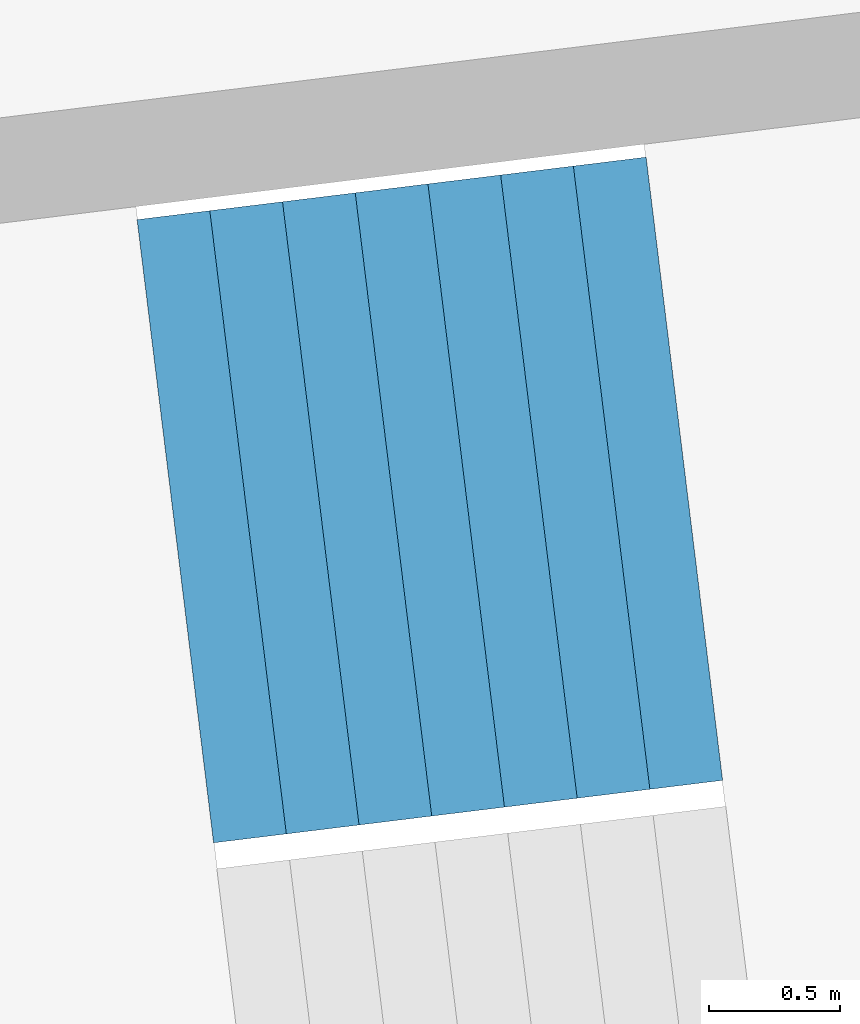
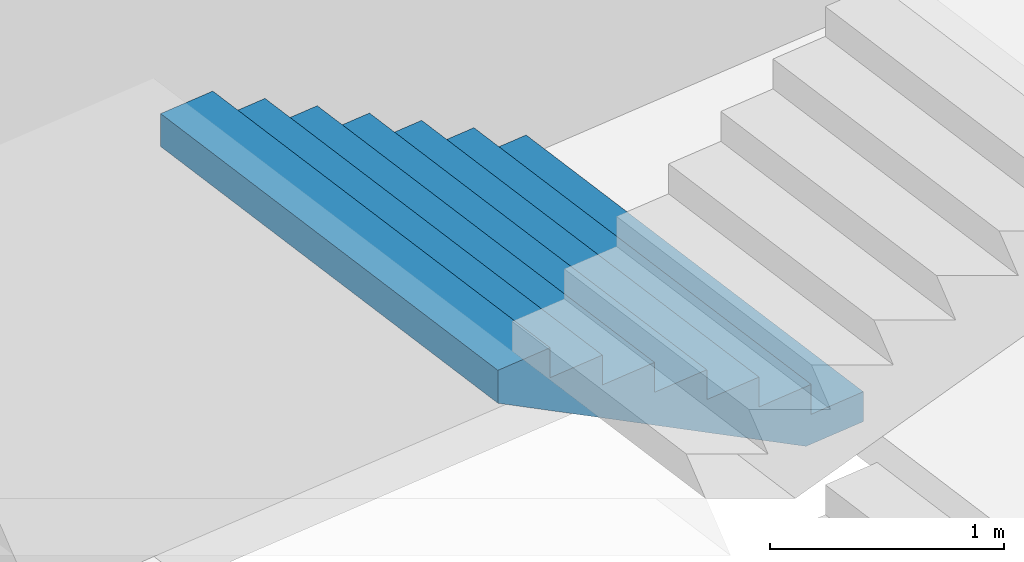
# One storey, part 59 of 73: 1 stair flight, 1 element without a shape of its own.
"""IFC4 building model written with IfcOpenShell, lengths in metres."""

from ifc_helpers import new_model, si_unit, direction, frame, origin, place, context, subcontext, project, spatial, triangles, material, type_object, element, aggregate, save


model = new_model("IFC4")

# Units and contexts
model_context = context("Model", 3, precision=1e-05, world=origin(), true_north=direction((0.0, 1.0)))
body_context = subcontext(model_context, "Body", "Model", "MODEL_VIEW")
ifc_project = project(units=[si_unit("LENGTHUNIT", "METRE"), si_unit("AREAUNIT", "SQUARE_METRE"), si_unit("VOLUMEUNIT", "CUBIC_METRE"), si_unit("PLANEANGLEUNIT", "RADIAN"), si_unit("MASSUNIT", "GRAM", prefix="KILO")], contexts=[model_context])

# Site, building, storey
site_placement = place(None, origin())
site = spatial("IfcSite", under=ifc_project, at=site_placement, CompositionType="ELEMENT")
building_placement = place(site_placement, origin())
building = spatial("IfcBuilding", under=site, at=building_placement, Name="Lantaw Convention Tower", CompositionType="ELEMENT")
storey_placement = place(building_placement, frame((0.0, 0.0, 27.0)))
storey = spatial("IfcBuildingStorey", under=building, at=storey_placement, Name="L04", CompositionType="ELEMENT", Elevation=27.0)

# Stair, stair flight
ifc_material = material(Name="Concrete C35/45", Category="concrete")
stair_type = type_object("IfcStairType", Name="Exit stair 2400 riser 156.25 in 4 flights", PredefinedType="HALF_TURN_STAIR", material=ifc_material)
stair_placement = place(storey_placement, origin())
stair = element("IfcStair", 1, at=stair_placement, inside=storey, type_object=stair_type, Name="Podium exit stair P1 L04", PredefinedType="HALF_TURN_STAIR")
stair_flight_type = type_object("IfcStairFlightType", Name="Stair flight 2400 riser 156.25", PredefinedType="STRAIGHT", material=ifc_material)
stair_flight_placement = place(storey_placement, frame((39.9169921875, 6.16064453125, 1.25), z_axis=(0.0, 0.0, 1.0), x_axis=(-0.992546151641, -0.121869343405, 0.0)))
stair_flight = element("IfcStairFlight", 2, at=stair_flight_placement, type_object=stair_flight_type, Name="P1 flight 2", NumberOfRisers=8, NumberOfTreads=7, PredefinedType="STRAIGHT", RiserHeight=0.15625, TreadLength=0.28, context=body_context, shape_type="Tessellation", body=[
    triangles([(0.0, 1.199951171875, 0.0), (0.0, 1.199951171875, 0.15625), (0.28, 1.199951171875, 0.0), (0.28, 1.199951171875, 0.15625), (0.28, 1.199951171875, 0.3125), (0.3076200632058044, 1.199951171875, 0.0), (0.3076200632058044, 1.199951171875, 0.3125), (0.56, 1.199951171875, 0.14083701830033238), (0.56, 1.199951171875, 0.3125), (0.56, 1.199951171875, 0.46875), (0.8400000000000001, 1.199951171875, 0.29708701830033235), (0.8400000000000001, 1.199951171875, 0.46875), (0.8400000000000001, 1.199951171875, 0.625), (1.12, 1.199951171875, 0.45333701830033235), (1.12, 1.199951171875, 0.625), (1.12, 1.199951171875, 0.78125), (1.4000000000000001, 1.199951171875, 0.6095870183003324), (1.4000000000000001, 1.199951171875, 0.78125), (1.4000000000000001, 1.199951171875, 0.9375), (1.6800000000000002, 1.199951171875, 0.7658370183003324), (1.6800000000000002, 1.199951171875, 0.9375), (1.6800000000000002, 1.199951171875, 1.09375), (1.9600000000000002, 1.199951171875, 0.9220870183003324), (1.9600000000000002, 1.199951171875, 1.09375), (0.0, -1.199951171875, 0.0), (0.0, -1.199951171875, 0.15625), (0.28, -1.199951171875, 0.0), (0.28, -1.199951171875, 0.15625), (0.28, -1.199951171875, 0.3125), (0.3076200632058044, -1.199951171875, 0.0), (0.3076200632058044, -1.199951171875, 0.3125), (0.56, -1.199951171875, 0.14083701830033238), (0.56, -1.199951171875, 0.3125), (0.56, -1.199951171875, 0.46875), (0.8400000000000001, -1.199951171875, 0.29708701830033235), (0.8400000000000001, -1.199951171875, 0.46875), (0.8400000000000001, -1.199951171875, 0.625), (1.12, -1.199951171875, 0.45333701830033235), (1.12, -1.199951171875, 0.625), (1.12, -1.199951171875, 0.78125), (1.4000000000000001, -1.199951171875, 0.6095870183003324), (1.4000000000000001, -1.199951171875, 0.78125), (1.4000000000000001, -1.199951171875, 0.9375), (1.6800000000000002, -1.199951171875, 0.7658370183003324), (1.6800000000000002, -1.199951171875, 0.9375), (1.6800000000000002, -1.199951171875, 1.09375), (1.9600000000000002, -1.199951171875, 0.9220870183003324), (1.9600000000000002, -1.199951171875, 1.09375), (0.0, 0.239990234375, 0.15625), (0.0, 0.239990234375, 0.0), (0.0, 0.1919921875, 0.15625), (0.0, 0.1919921875, 0.0), (0.0, 0.143994140625, 0.15625), (0.0, 0.143994140625, 0.0), (0.0, 0.09599609375, 0.15625), (0.0, 0.09599609375, 0.0), (0.0, 0.047998046875, 0.15625), (0.0, 0.047998046875, 0.0), (0.0, 0.0, 0.15625), (0.0, 0.0, 0.0), (0.0, -0.047998046875, 0.15625), (0.0, -0.047998046875, 0.0), (0.0, -0.09599609375, 0.15625), (0.0, -0.09599609375, 0.0), (0.0, -0.143994140625, 0.15625), (0.0, -0.143994140625, 0.0), (0.0, -0.1919921875, 0.15625), (0.0, -0.1919921875, 0.0), (0.0, -0.239990234375, 0.15625), (0.0, -0.239990234375, 0.0), (0.28, 0.239990234375, 0.3125), (0.28, 0.239990234375, 0.15625), (0.28, 0.1919921875, 0.3125), (0.28, 0.1919921875, 0.15625), (0.28, 0.143994140625, 0.3125), (0.28, 0.143994140625, 0.15625), (0.28, 0.09599609375, 0.3125), (0.28, 0.09599609375, 0.15625), (0.28, 0.047998046875, 0.3125), (0.28, 0.047998046875, 0.15625), (0.28, 0.0, 0.3125), (0.28, 0.0, 0.15625), (0.28, -0.047998046875, 0.3125), (0.28, -0.047998046875, 0.15625), (0.28, -0.09599609375, 0.3125), (0.28, -0.09599609375, 0.15625), (0.28, -0.143994140625, 0.3125), (0.28, -0.143994140625, 0.15625), (0.28, -0.1919921875, 0.3125), (0.28, -0.1919921875, 0.15625), (0.28, -0.239990234375, 0.3125), (0.28, -0.239990234375, 0.15625), (0.56, 0.239990234375, 0.46875), (0.56, 0.239990234375, 0.3125), (0.56, 0.1919921875, 0.46875), (0.56, 0.1919921875, 0.3125), (0.56, 0.143994140625, 0.46875), (0.56, 0.143994140625, 0.3125), (0.56, 0.09599609375, 0.46875), (0.56, 0.09599609375, 0.3125), (0.56, 0.047998046875, 0.46875), (0.56, 0.047998046875, 0.3125), (0.56, 0.0, 0.46875), (0.56, 0.0, 0.3125), (0.56, -0.047998046875, 0.46875), (0.56, -0.047998046875, 0.3125), (0.56, -0.09599609375, 0.46875), (0.56, -0.09599609375, 0.3125), (0.56, -0.143994140625, 0.46875), (0.56, -0.143994140625, 0.3125), (0.56, -0.1919921875, 0.46875), (0.56, -0.1919921875, 0.3125), (0.56, -0.239990234375, 0.46875), (0.56, -0.239990234375, 0.3125), (0.8400000000000001, 0.239990234375, 0.625), (0.8400000000000001, 0.239990234375, 0.46875), (0.8400000000000001, 0.1919921875, 0.625), (0.8400000000000001, 0.1919921875, 0.46875), (0.8400000000000001, 0.143994140625, 0.625), (0.8400000000000001, 0.143994140625, 0.46875), (0.8400000000000001, 0.09599609375, 0.625), (0.8400000000000001, 0.09599609375, 0.46875), (0.8400000000000001, 0.047998046875, 0.625), (0.8400000000000001, 0.047998046875, 0.46875), (0.8400000000000001, 0.0, 0.625), (0.8400000000000001, 0.0, 0.46875), (0.8400000000000001, -0.047998046875, 0.625), (0.8400000000000001, -0.047998046875, 0.46875), (0.8400000000000001, -0.09599609375, 0.625), (0.8400000000000001, -0.09599609375, 0.46875), (0.8400000000000001, -0.143994140625, 0.625), (0.8400000000000001, -0.143994140625, 0.46875), (0.8400000000000001, -0.1919921875, 0.625), (0.8400000000000001, -0.1919921875, 0.46875), (0.8400000000000001, -0.239990234375, 0.625), (0.8400000000000001, -0.239990234375, 0.46875), (1.12, 0.239990234375, 0.78125), (1.12, 0.239990234375, 0.625), (1.12, 0.1919921875, 0.78125), (1.12, 0.1919921875, 0.625), (1.12, 0.143994140625, 0.78125), (1.12, 0.143994140625, 0.625), (1.12, 0.09599609375, 0.78125), (1.12, 0.09599609375, 0.625), (1.12, 0.047998046875, 0.78125), (1.12, 0.047998046875, 0.625), (1.12, 0.0, 0.78125), (1.12, 0.0, 0.625), (1.12, -0.047998046875, 0.78125), (1.12, -0.047998046875, 0.625), (1.12, -0.09599609375, 0.78125), (1.12, -0.09599609375, 0.625), (1.12, -0.143994140625, 0.78125), (1.12, -0.143994140625, 0.625), (1.12, -0.1919921875, 0.78125), (1.12, -0.1919921875, 0.625), (1.12, -0.239990234375, 0.78125), (1.12, -0.239990234375, 0.625), (1.4000000000000001, 0.239990234375, 0.9375), (1.4000000000000001, 0.239990234375, 0.78125), (1.4000000000000001, 0.1919921875, 0.9375), (1.4000000000000001, 0.1919921875, 0.78125), (1.4000000000000001, 0.143994140625, 0.9375), (1.4000000000000001, 0.143994140625, 0.78125), (1.4000000000000001, 0.09599609375, 0.9375), (1.4000000000000001, 0.09599609375, 0.78125), (1.4000000000000001, 0.047998046875, 0.9375), (1.4000000000000001, 0.047998046875, 0.78125), (1.4000000000000001, 0.0, 0.9375), (1.4000000000000001, 0.0, 0.78125), (1.4000000000000001, -0.047998046875, 0.9375), (1.4000000000000001, -0.047998046875, 0.78125), (1.4000000000000001, -0.09599609375, 0.9375), (1.4000000000000001, -0.09599609375, 0.78125), (1.4000000000000001, -0.143994140625, 0.9375), (1.4000000000000001, -0.143994140625, 0.78125), (1.4000000000000001, -0.1919921875, 0.9375), (1.4000000000000001, -0.1919921875, 0.78125), (1.4000000000000001, -0.239990234375, 0.9375), (1.4000000000000001, -0.239990234375, 0.78125), (1.6800000000000002, 0.239990234375, 1.09375), (1.6800000000000002, 0.239990234375, 0.9375), (1.6800000000000002, 0.1919921875, 1.09375), (1.6800000000000002, 0.1919921875, 0.9375), (1.6800000000000002, 0.143994140625, 1.09375), (1.6800000000000002, 0.143994140625, 0.9375), (1.6800000000000002, 0.09599609375, 1.09375), (1.6800000000000002, 0.09599609375, 0.9375), (1.6800000000000002, 0.047998046875, 1.09375), (1.6800000000000002, 0.047998046875, 0.9375), (1.6800000000000002, 0.0, 1.09375), (1.6800000000000002, 0.0, 0.9375), (1.6800000000000002, -0.047998046875, 1.09375), (1.6800000000000002, -0.047998046875, 0.9375), (1.6800000000000002, -0.09599609375, 1.09375), (1.6800000000000002, -0.09599609375, 0.9375), (1.6800000000000002, -0.143994140625, 1.09375), (1.6800000000000002, -0.143994140625, 0.9375), (1.6800000000000002, -0.1919921875, 1.09375), (1.6800000000000002, -0.1919921875, 0.9375), (1.6800000000000002, -0.239990234375, 1.09375), (1.6800000000000002, -0.239990234375, 0.9375), (0.3076200632058044, 0.239990234375, 0.3125), (0.3076200632058044, 0.1919921875, 0.3125), (0.3076200632058044, 0.143994140625, 0.3125), (0.3076200632058044, 0.09599609375, 0.3125), (0.3076200632058044, 0.047998046875, 0.3125), (0.3076200632058044, 0.0, 0.3125), (0.3076200632058044, -0.047998046875, 0.3125), (0.3076200632058044, -0.09599609375, 0.3125), (0.3076200632058044, -0.143994140625, 0.3125), (0.3076200632058044, -0.1919921875, 0.3125), (0.3076200632058044, -0.239990234375, 0.3125), (1.9600000000000002, 0.239990234375, 1.09375), (1.9600000000000002, 0.1919921875, 1.09375), (1.9600000000000002, 0.143994140625, 1.09375), (1.9600000000000002, 0.09599609375, 1.09375), (1.9600000000000002, 0.047998046875, 1.09375), (1.9600000000000002, 0.0, 1.09375), (1.9600000000000002, -0.047998046875, 1.09375), (1.9600000000000002, -0.09599609375, 1.09375), (1.9600000000000002, -0.143994140625, 1.09375), (1.9600000000000002, -0.1919921875, 1.09375), (1.9600000000000002, -0.239990234375, 1.09375), (1.9600000000000002, 0.239990234375, 0.9220870183003324), (1.9600000000000002, 0.1919921875, 0.9220870183003324), (1.9600000000000002, 0.143994140625, 0.9220870183003324), (1.9600000000000002, 0.09599609375, 0.9220870183003324), (1.9600000000000002, 0.047998046875, 0.9220870183003324), (1.9600000000000002, 0.0, 0.9220870183003324), (1.9600000000000002, -0.047998046875, 0.9220870183003324), (1.9600000000000002, -0.09599609375, 0.9220870183003324), (1.9600000000000002, -0.143994140625, 0.9220870183003324), (1.9600000000000002, -0.1919921875, 0.9220870183003324), (1.9600000000000002, -0.239990234375, 0.9220870183003324), (1.6800000000000002, 0.239990234375, 0.7658370183003324), (1.6800000000000002, 0.1919921875, 0.7658370183003324), (1.6800000000000002, 0.143994140625, 0.7658370183003324), (1.6800000000000002, 0.09599609375, 0.7658370183003324), (1.6800000000000002, 0.047998046875, 0.7658370183003324), (1.6800000000000002, 0.0, 0.7658370183003324), (1.6800000000000002, -0.047998046875, 0.7658370183003324), (1.6800000000000002, -0.09599609375, 0.7658370183003324), (1.6800000000000002, -0.143994140625, 0.7658370183003324), (1.6800000000000002, -0.1919921875, 0.7658370183003324), (1.6800000000000002, -0.239990234375, 0.7658370183003324), (1.4000000000000001, 0.239990234375, 0.6095870183003324), (1.4000000000000001, 0.1919921875, 0.6095870183003324), (1.4000000000000001, 0.143994140625, 0.6095870183003324), (1.4000000000000001, 0.09599609375, 0.6095870183003324), (1.4000000000000001, 0.047998046875, 0.6095870183003324), (1.4000000000000001, 0.0, 0.6095870183003324), (1.4000000000000001, -0.047998046875, 0.6095870183003324), (1.4000000000000001, -0.09599609375, 0.6095870183003324), (1.4000000000000001, -0.143994140625, 0.6095870183003324), (1.4000000000000001, -0.1919921875, 0.6095870183003324), (1.4000000000000001, -0.239990234375, 0.6095870183003324), (1.12, 0.239990234375, 0.45333701830033235), (1.12, 0.1919921875, 0.45333701830033235), (1.12, 0.143994140625, 0.45333701830033235), (1.12, 0.09599609375, 0.45333701830033235), (1.12, 0.047998046875, 0.45333701830033235), (1.12, 0.0, 0.45333701830033235), (1.12, -0.047998046875, 0.45333701830033235), (1.12, -0.09599609375, 0.45333701830033235), (1.12, -0.143994140625, 0.45333701830033235), (1.12, -0.1919921875, 0.45333701830033235), (1.12, -0.239990234375, 0.45333701830033235), (0.8400000000000001, 0.239990234375, 0.29708701830033235), (0.8400000000000001, 0.1919921875, 0.29708701830033235), (0.8400000000000001, 0.143994140625, 0.29708701830033235), (0.8400000000000001, 0.09599609375, 0.29708701830033235), (0.8400000000000001, 0.047998046875, 0.29708701830033235), (0.8400000000000001, 0.0, 0.29708701830033235), (0.8400000000000001, -0.047998046875, 0.29708701830033235), (0.8400000000000001, -0.09599609375, 0.29708701830033235), (0.8400000000000001, -0.143994140625, 0.29708701830033235), (0.8400000000000001, -0.1919921875, 0.29708701830033235), (0.8400000000000001, -0.239990234375, 0.29708701830033235), (0.56, 0.239990234375, 0.14083701830033238), (0.56, 0.1919921875, 0.14083701830033238), (0.56, 0.143994140625, 0.14083701830033238), (0.56, 0.09599609375, 0.14083701830033238), (0.56, 0.047998046875, 0.14083701830033238), (0.56, 0.0, 0.14083701830033238), (0.56, -0.047998046875, 0.14083701830033238), (0.56, -0.09599609375, 0.14083701830033238), (0.56, -0.143994140625, 0.14083701830033238), (0.56, -0.1919921875, 0.14083701830033238), (0.56, -0.239990234375, 0.14083701830033238), (0.3076200632058044, 0.239990234375, 0.0), (0.3076200632058044, 0.1919921875, 0.0), (0.3076200632058044, 0.143994140625, 0.0), (0.3076200632058044, 0.09599609375, 0.0), (0.3076200632058044, 0.047998046875, 0.0), (0.3076200632058044, 0.0, 0.0), (0.3076200632058044, -0.047998046875, 0.0), (0.3076200632058044, -0.09599609375, 0.0), (0.3076200632058044, -0.143994140625, 0.0), (0.3076200632058044, -0.1919921875, 0.0), (0.3076200632058044, -0.239990234375, 0.0), (0.28, 0.239990234375, 0.0), (0.28, 0.1919921875, 0.0), (0.28, 0.143994140625, 0.0), (0.28, 0.09599609375, 0.0), (0.28, 0.047998046875, 0.0), (0.28, 0.0, 0.0), (0.28, -0.047998046875, 0.0), (0.28, -0.09599609375, 0.0), (0.28, -0.143994140625, 0.0), (0.28, -0.1919921875, 0.0), (0.28, -0.239990234375, 0.0)], [[1, 4, 3], [1, 2, 4], [3, 4, 6], [4, 7, 6], [4, 5, 7], [6, 9, 8], [6, 7, 9], [8, 9, 11], [9, 12, 11], [9, 10, 12], [11, 12, 14], [12, 15, 14], [12, 13, 15], [14, 15, 17], [15, 18, 17], [15, 16, 18], [17, 18, 20], [18, 21, 20], [18, 19, 21], [20, 21, 23], [21, 24, 23], [21, 22, 24], [25, 27, 28], [25, 28, 26], [27, 30, 28], [28, 30, 31], [28, 31, 29], [30, 32, 33], [30, 33, 31], [32, 35, 33], [33, 35, 36], [33, 36, 34], [35, 38, 36], [36, 38, 39], [36, 39, 37], [38, 41, 39], [39, 41, 42], [39, 42, 40], [41, 44, 42], [42, 44, 45], [42, 45, 43], [44, 47, 45], [45, 47, 48], [45, 48, 46], [1, 49, 2], [1, 50, 49], [50, 51, 49], [50, 52, 51], [52, 53, 51], [52, 54, 53], [54, 55, 53], [54, 56, 55], [56, 57, 55], [56, 58, 57], [58, 59, 57], [58, 60, 59], [60, 61, 59], [60, 62, 61], [62, 63, 61], [62, 64, 63], [64, 65, 63], [64, 66, 65], [66, 67, 65], [66, 68, 67], [68, 69, 67], [68, 70, 69], [70, 26, 69], [70, 25, 26], [4, 71, 5], [4, 72, 71], [72, 73, 71], [72, 74, 73], [74, 75, 73], [74, 76, 75], [76, 77, 75], [76, 78, 77], [78, 79, 77], [78, 80, 79], [80, 81, 79], [80, 82, 81], [82, 83, 81], [82, 84, 83], [84, 85, 83], [84, 86, 85], [86, 87, 85], [86, 88, 87], [88, 89, 87], [88, 90, 89], [90, 91, 89], [90, 92, 91], [92, 29, 91], [92, 28, 29], [9, 93, 10], [9, 94, 93], [94, 95, 93], [94, 96, 95], [96, 97, 95], [96, 98, 97], [98, 99, 97], [98, 100, 99], [100, 101, 99], [100, 102, 101], [102, 103, 101], [102, 104, 103], [104, 105, 103], [104, 106, 105], [106, 107, 105], [106, 108, 107], [108, 109, 107], [108, 110, 109], [110, 111, 109], [110, 112, 111], [112, 113, 111], [112, 114, 113], [114, 34, 113], [114, 33, 34], [12, 115, 13], [12, 116, 115], [116, 117, 115], [116, 118, 117], [118, 119, 117], [118, 120, 119], [120, 121, 119], [120, 122, 121], [122, 123, 121], [122, 124, 123], [124, 125, 123], [124, 126, 125], [126, 127, 125], [126, 128, 127], [128, 129, 127], [128, 130, 129], [130, 131, 129], [130, 132, 131], [132, 133, 131], [132, 134, 133], [134, 135, 133], [134, 136, 135], [136, 37, 135], [136, 36, 37], [15, 137, 16], [15, 138, 137], [138, 139, 137], [138, 140, 139], [140, 141, 139], [140, 142, 141], [142, 143, 141], [142, 144, 143], [144, 145, 143], [144, 146, 145], [146, 147, 145], [146, 148, 147], [148, 149, 147], [148, 150, 149], [150, 151, 149], [150, 152, 151], [152, 153, 151], [152, 154, 153], [154, 155, 153], [154, 156, 155], [156, 157, 155], [156, 158, 157], [158, 40, 157], [158, 39, 40], [18, 159, 19], [18, 160, 159], [160, 161, 159], [160, 162, 161], [162, 163, 161], [162, 164, 163], [164, 165, 163], [164, 166, 165], [166, 167, 165], [166, 168, 167], [168, 169, 167], [168, 170, 169], [170, 171, 169], [170, 172, 171], [172, 173, 171], [172, 174, 173], [174, 175, 173], [174, 176, 175], [176, 177, 175], [176, 178, 177], [178, 179, 177], [178, 180, 179], [180, 43, 179], [180, 42, 43], [21, 181, 22], [21, 182, 181], [182, 183, 181], [182, 184, 183], [184, 185, 183], [184, 186, 185], [186, 187, 185], [186, 188, 187], [188, 189, 187], [188, 190, 189], [190, 191, 189], [190, 192, 191], [192, 193, 191], [192, 194, 193], [194, 195, 193], [194, 196, 195], [196, 197, 195], [196, 198, 197], [198, 199, 197], [198, 200, 199], [200, 201, 199], [200, 202, 201], [202, 46, 201], [202, 45, 46], [2, 72, 4], [2, 49, 72], [49, 74, 72], [49, 51, 74], [51, 76, 74], [51, 53, 76], [53, 78, 76], [53, 55, 78], [55, 80, 78], [55, 57, 80], [57, 82, 80], [57, 59, 82], [59, 84, 82], [59, 61, 84], [61, 86, 84], [61, 63, 86], [63, 88, 86], [63, 65, 88], [65, 90, 88], [65, 67, 90], [67, 92, 90], [67, 69, 92], [69, 28, 92], [69, 26, 28], [5, 203, 7], [5, 71, 203], [71, 204, 203], [71, 73, 204], [73, 205, 204], [73, 75, 205], [75, 206, 205], [75, 77, 206], [77, 207, 206], [77, 79, 207], [79, 208, 207], [79, 81, 208], [81, 209, 208], [81, 83, 209], [83, 210, 209], [83, 85, 210], [85, 211, 210], [85, 87, 211], [87, 212, 211], [87, 89, 212], [89, 213, 212], [89, 91, 213], [91, 31, 213], [91, 29, 31], [7, 94, 9], [7, 203, 94], [203, 96, 94], [203, 204, 96], [204, 98, 96], [204, 205, 98], [205, 100, 98], [205, 206, 100], [206, 102, 100], [206, 207, 102], [207, 104, 102], [207, 208, 104], [208, 106, 104], [208, 209, 106], [209, 108, 106], [209, 210, 108], [210, 110, 108], [210, 211, 110], [211, 112, 110], [211, 212, 112], [212, 114, 112], [212, 213, 114], [213, 33, 114], [213, 31, 33], [10, 116, 12], [10, 93, 116], [93, 118, 116], [93, 95, 118], [95, 120, 118], [95, 97, 120], [97, 122, 120], [97, 99, 122], [99, 124, 122], [99, 101, 124], [101, 126, 124], [101, 103, 126], [103, 128, 126], [103, 105, 128], [105, 130, 128], [105, 107, 130], [107, 132, 130], [107, 109, 132], [109, 134, 132], [109, 111, 134], [111, 136, 134], [111, 113, 136], [113, 36, 136], [113, 34, 36], [13, 138, 15], [13, 115, 138], [115, 140, 138], [115, 117, 140], [117, 142, 140], [117, 119, 142], [119, 144, 142], [119, 121, 144], [121, 146, 144], [121, 123, 146], [123, 148, 146], [123, 125, 148], [125, 150, 148], [125, 127, 150], [127, 152, 150], [127, 129, 152], [129, 154, 152], [129, 131, 154], [131, 156, 154], [131, 133, 156], [133, 158, 156], [133, 135, 158], [135, 39, 158], [135, 37, 39], [16, 160, 18], [16, 137, 160], [137, 162, 160], [137, 139, 162], [139, 164, 162], [139, 141, 164], [141, 166, 164], [141, 143, 166], [143, 168, 166], [143, 145, 168], [145, 170, 168], [145, 147, 170], [147, 172, 170], [147, 149, 172], [149, 174, 172], [149, 151, 174], [151, 176, 174], [151, 153, 176], [153, 178, 176], [153, 155, 178], [155, 180, 178], [155, 157, 180], [157, 42, 180], [157, 40, 42], [19, 182, 21], [19, 159, 182], [159, 184, 182], [159, 161, 184], [161, 186, 184], [161, 163, 186], [163, 188, 186], [163, 165, 188], [165, 190, 188], [165, 167, 190], [167, 192, 190], [167, 169, 192], [169, 194, 192], [169, 171, 194], [171, 196, 194], [171, 173, 196], [173, 198, 196], [173, 175, 198], [175, 200, 198], [175, 177, 200], [177, 202, 200], [177, 179, 202], [179, 45, 202], [179, 43, 45], [22, 214, 24], [22, 181, 214], [181, 215, 214], [181, 183, 215], [183, 216, 215], [183, 185, 216], [185, 217, 216], [185, 187, 217], [187, 218, 217], [187, 189, 218], [189, 219, 218], [189, 191, 219], [191, 220, 219], [191, 193, 220], [193, 221, 220], [193, 195, 221], [195, 222, 221], [195, 197, 222], [197, 223, 222], [197, 199, 223], [199, 224, 223], [199, 201, 224], [201, 48, 224], [201, 46, 48], [24, 225, 23], [24, 214, 225], [214, 226, 225], [214, 215, 226], [215, 227, 226], [215, 216, 227], [216, 228, 227], [216, 217, 228], [217, 229, 228], [217, 218, 229], [218, 230, 229], [218, 219, 230], [219, 231, 230], [219, 220, 231], [220, 232, 231], [220, 221, 232], [221, 233, 232], [221, 222, 233], [222, 234, 233], [222, 223, 234], [223, 235, 234], [223, 224, 235], [224, 47, 235], [224, 48, 47], [23, 236, 20], [23, 225, 236], [225, 237, 236], [225, 226, 237], [226, 238, 237], [226, 227, 238], [227, 239, 238], [227, 228, 239], [228, 240, 239], [228, 229, 240], [229, 241, 240], [229, 230, 241], [230, 242, 241], [230, 231, 242], [231, 243, 242], [231, 232, 243], [232, 244, 243], [232, 233, 244], [233, 245, 244], [233, 234, 245], [234, 246, 245], [234, 235, 246], [235, 44, 246], [235, 47, 44], [20, 247, 17], [20, 236, 247], [236, 248, 247], [236, 237, 248], [237, 249, 248], [237, 238, 249], [238, 250, 249], [238, 239, 250], [239, 251, 250], [239, 240, 251], [240, 252, 251], [240, 241, 252], [241, 253, 252], [241, 242, 253], [242, 254, 253], [242, 243, 254], [243, 255, 254], [243, 244, 255], [244, 256, 255], [244, 245, 256], [245, 257, 256], [245, 246, 257], [246, 41, 257], [246, 44, 41], [17, 258, 14], [17, 247, 258], [247, 259, 258], [247, 248, 259], [248, 260, 259], [248, 249, 260], [249, 261, 260], [249, 250, 261], [250, 262, 261], [250, 251, 262], [251, 263, 262], [251, 252, 263], [252, 264, 263], [252, 253, 264], [253, 265, 264], [253, 254, 265], [254, 266, 265], [254, 255, 266], [255, 267, 266], [255, 256, 267], [256, 268, 267], [256, 257, 268], [257, 38, 268], [257, 41, 38], [14, 269, 11], [14, 258, 269], [258, 270, 269], [258, 259, 270], [259, 271, 270], [259, 260, 271], [260, 272, 271], [260, 261, 272], [261, 273, 272], [261, 262, 273], [262, 274, 273], [262, 263, 274], [263, 275, 274], [263, 264, 275], [264, 276, 275], [264, 265, 276], [265, 277, 276], [265, 266, 277], [266, 278, 277], [266, 267, 278], [267, 279, 278], [267, 268, 279], [268, 35, 279], [268, 38, 35], [11, 280, 8], [11, 269, 280], [269, 281, 280], [269, 270, 281], [270, 282, 281], [270, 271, 282], [271, 283, 282], [271, 272, 283], [272, 284, 283], [272, 273, 284], [273, 285, 284], [273, 274, 285], [274, 286, 285], [274, 275, 286], [275, 287, 286], [275, 276, 287], [276, 288, 287], [276, 277, 288], [277, 289, 288], [277, 278, 289], [278, 290, 289], [278, 279, 290], [279, 32, 290], [279, 35, 32], [8, 291, 6], [8, 280, 291], [280, 292, 291], [280, 281, 292], [281, 293, 292], [281, 282, 293], [282, 294, 293], [282, 283, 294], [283, 295, 294], [283, 284, 295], [284, 296, 295], [284, 285, 296], [285, 297, 296], [285, 286, 297], [286, 298, 297], [286, 287, 298], [287, 299, 298], [287, 288, 299], [288, 300, 299], [288, 289, 300], [289, 301, 300], [289, 290, 301], [290, 30, 301], [290, 32, 30], [6, 302, 3], [6, 291, 302], [291, 303, 302], [291, 292, 303], [292, 304, 303], [292, 293, 304], [293, 305, 304], [293, 294, 305], [294, 306, 305], [294, 295, 306], [295, 307, 306], [295, 296, 307], [296, 308, 307], [296, 297, 308], [297, 309, 308], [297, 298, 309], [298, 310, 309], [298, 299, 310], [299, 311, 310], [299, 300, 311], [300, 312, 311], [300, 301, 312], [301, 27, 312], [301, 30, 27], [3, 50, 1], [3, 302, 50], [302, 52, 50], [302, 303, 52], [303, 54, 52], [303, 304, 54], [304, 56, 54], [304, 305, 56], [305, 58, 56], [305, 306, 58], [306, 60, 58], [306, 307, 60], [307, 62, 60], [307, 308, 62], [308, 64, 62], [308, 309, 64], [309, 66, 64], [309, 310, 66], [310, 68, 66], [310, 311, 68], [311, 70, 68], [311, 312, 70], [312, 25, 70], [312, 27, 25]], closed=True),
])
aggregate(stair, [stair_flight])

save(model, "model.ifc")
